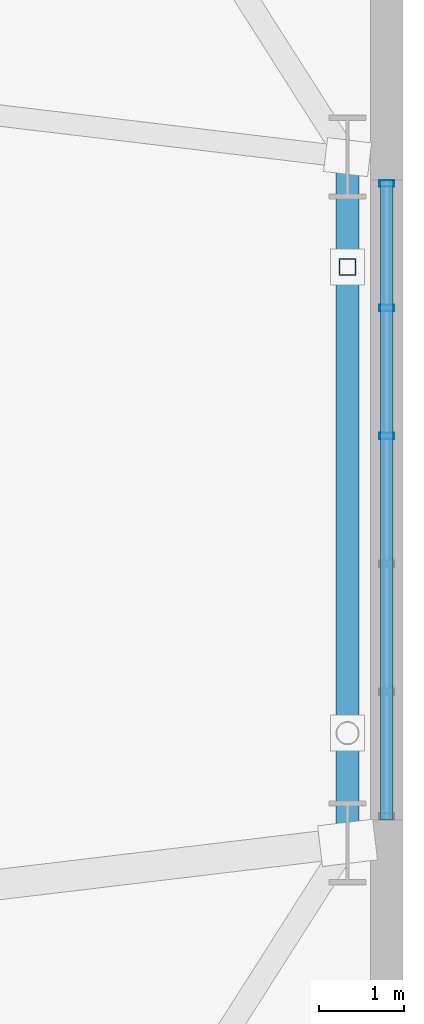
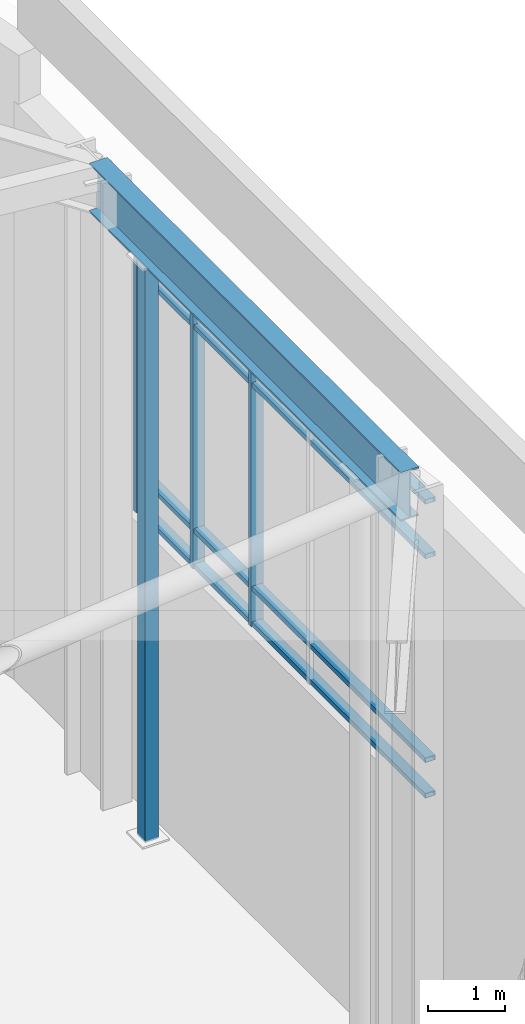
# One storey, part 16 of 23: 8 members, 1 beam, 1 element without a shape of its own.
"""IFC4 building model written with IfcOpenShell, lengths in metres."""

from ifc_helpers import new_model, si_unit, direction, frame, origin, origin_2d, place, context, subcontext, project, spatial, hollow_rectangle, i_section, extrude, material, layer, layer_set, material_profile, profile_set, type_object, element, aggregate, save


model = new_model("IFC4")

# Units and contexts
model_context = context("Model", 3, precision=1e-05, world=origin(), true_north=direction((0.0, 1.0)))
body_context = subcontext(model_context, "Body", "Model", "MODEL_VIEW")
ifc_project = project(units=[si_unit("LENGTHUNIT", "METRE"), si_unit("AREAUNIT", "SQUARE_METRE"), si_unit("VOLUMEUNIT", "CUBIC_METRE"), si_unit("PLANEANGLEUNIT", "RADIAN"), si_unit("MASSUNIT", "GRAM", prefix="KILO"), si_unit("THERMODYNAMICTEMPERATUREUNIT", "KELVIN"), si_unit("POWERUNIT", "WATT")], contexts=[model_context])

# Site, building, storey
site_placement = place(None, origin())
site = spatial("IfcSite", under=ifc_project, at=site_placement, CompositionType="ELEMENT")
building_placement = place(site_placement, origin())
building = spatial("IfcBuilding", under=site, at=building_placement, Name="Skarre Station Tower", CompositionType="ELEMENT")
storey_placement = place(building_placement, frame((0.0, 0.0, 291.300048828125)))
storey = spatial("IfcBuildingStorey", under=building, at=storey_placement, Name="RF", CompositionType="ELEMENT", Elevation=291.300048828125)

# Curtain wall, members
ifc_material_1 = material(Name="Thermally Broken Bronze-Anodized Aluminium & Triple Low-E Glass", Category="aluminium")
ifc_layer = layer(ifc_material_1, 0.179931640625, Name="Thermally Broken Bronze-Anodized Aluminium & Triple Low-E Glass")
ifc_layer_set = layer_set([ifc_layer], Name="Thermally Broken Bronze-Anodized Aluminium & Triple Low-E Glass")
curtain_wall_type = type_object("IfcCurtainWallType", Name="Nordic Bronze Crown Lantern Stick Curtain Wall", PredefinedType="NOTDEFINED", material=ifc_layer_set)
curtain_wall_placement = place(storey_placement, origin())
curtain_wall = element("IfcCurtainWall", 1, at=curtain_wall_placement, inside=storey, type_object=curtain_wall_type, Name="RF Crown Lantern Facet 5 Curtain Wall", PredefinedType="NOTDEFINED")
ifc_material_2 = material(Name="Anodized Aluminium 6063-T6", Category="aluminium")
ifc_material_profile_1 = material_profile(ifc_material_2, hollow_rectangle(XDim=0.074951171875, YDim=0.14990234375, WallThickness=0.00390625, at=origin_2d()), Name="Anodized Aluminium 6063-T6")
ifc_profile_set_1 = profile_set([ifc_material_profile_1], Name="Anodized Aluminium 6063-T6")
member_type_1 = type_object("IfcMemberType", Name="Curtain-Wall Secondary Transom 150x75", PredefinedType="USERDEFINED", material=ifc_profile_set_1)
member_1_placement = place(storey_placement, frame((51.02294921875, 27.7529296875, 4.43994140625), z_axis=(0.0, -1.0, 0.0), x_axis=(0.0, 0.0, 1.0)))
member_1 = element("IfcMember", 2, at=member_1_placement, type_object=member_type_1, Name="RF Crown Lantern Facet 5 Curtain Wall Transom 1", ObjectType="TRANSOM", PredefinedType="USERDEFINED", context=body_context, shape_type="SweptSolid", body=[
    extrude(hollow_rectangle(XDim=0.074951171875, YDim=0.14990234375, WallThickness=0.00390625, at=origin_2d()), origin(), (0.0, 0.0, 1.0), 7.505859375),
])
member_2_placement = place(storey_placement, frame((51.02294921875, 27.7529296875, 5.0), z_axis=(0.0, -1.0, 0.0), x_axis=(0.0, 0.0, 1.0)))
member_2 = element("IfcMember", 3, at=member_2_placement, type_object=member_type_1, Name="RF Crown Lantern Facet 5 Curtain Wall Transom 2", ObjectType="TRANSOM", PredefinedType="USERDEFINED", context=body_context, shape_type="SweptSolid", body=[
    extrude(hollow_rectangle(XDim=0.074951171875, YDim=0.14990234375, WallThickness=0.00390625, at=origin_2d()), origin(), (0.0, 0.0, 1.0), 7.505859375),
])
member_3_placement = place(storey_placement, frame((51.02294921875, 27.7529296875, 8.2099609375), z_axis=(0.0, -1.0, 0.0), x_axis=(0.0, 0.0, 1.0)))
member_3 = element("IfcMember", 4, at=member_3_placement, type_object=member_type_1, Name="RF Crown Lantern Facet 5 Curtain Wall Transom 3", ObjectType="TRANSOM", PredefinedType="USERDEFINED", context=body_context, shape_type="SweptSolid", body=[
    extrude(hollow_rectangle(XDim=0.074951171875, YDim=0.14990234375, WallThickness=0.00390625, at=origin_2d()), origin(), (0.0, 0.0, 1.0), 7.505859375),
])
member_4_placement = place(storey_placement, frame((51.02294921875, 27.7529296875, 9.070068359375), z_axis=(0.0, -1.0, 0.0), x_axis=(0.0, 0.0, 1.0)))
member_4 = element("IfcMember", 5, at=member_4_placement, type_object=member_type_1, Name="RF Crown Lantern Facet 5 Curtain Wall Transom 4", ObjectType="TRANSOM", PredefinedType="USERDEFINED", context=body_context, shape_type="SweptSolid", body=[
    extrude(hollow_rectangle(XDim=0.074951171875, YDim=0.14990234375, WallThickness=0.00390625, at=origin_2d()), origin(), (0.0, 0.0, 1.0), 7.505859375),
])
ifc_material_profile_2 = material_profile(ifc_material_2, hollow_rectangle(XDim=0.074951171875, YDim=0.179931640625, WallThickness=0.00390625, at=origin_2d()), Name="Anodized Aluminium 6063-T6")
ifc_profile_set_2 = profile_set([ifc_material_profile_2], Name="Anodized Aluminium 6063-T6")
member_type_2 = type_object("IfcMemberType", Name="Curtain-Wall Unitised Tower Mullion 180x75", PredefinedType="MULLION", material=ifc_profile_set_2)
member_5_placement = place(storey_placement, frame((51.02294921875, 27.712890625, 4.39990234375), z_axis=(0.0, 0.0, 1.0), x_axis=(0.0, -1.0, 0.0)))
member_5 = element("IfcMember", 6, at=member_5_placement, type_object=member_type_2, Name="RF Crown Lantern Facet 5 Curtain Wall Mullion 1", PredefinedType="MULLION", context=body_context, shape_type="SweptSolid", body=[
    extrude(hollow_rectangle(XDim=0.074951171875, YDim=0.179931640625, WallThickness=0.00390625, at=origin_2d()), origin(), (0.0, 0.0, 1.0), 4.7099609375),
])
member_6_placement = place(storey_placement, frame((51.02294921875, 26.251953125, 4.39990234375), z_axis=(0.0, 0.0, 1.0), x_axis=(0.0, -1.0, 0.0)))
member_6 = element("IfcMember", 7, at=member_6_placement, type_object=member_type_2, Name="RF Crown Lantern Facet 5 Curtain Wall Mullion 2", PredefinedType="MULLION", context=body_context, shape_type="SweptSolid", body=[
    extrude(hollow_rectangle(XDim=0.074951171875, YDim=0.179931640625, WallThickness=0.00390625, at=origin_2d()), origin(), (0.0, 0.0, 1.0), 4.7099609375),
])
member_7_placement = place(storey_placement, frame((51.02294921875, 24.7509765625, 4.39990234375), z_axis=(0.0, 0.0, 1.0), x_axis=(0.0, -1.0, 0.0)))
member_7 = element("IfcMember", 8, at=member_7_placement, type_object=member_type_2, Name="RF Crown Lantern Facet 5 Curtain Wall Mullion 3", PredefinedType="MULLION", context=body_context, shape_type="SweptSolid", body=[
    extrude(hollow_rectangle(XDim=0.074951171875, YDim=0.179931640625, WallThickness=0.00390625, at=origin_2d()), origin(), (0.0, 0.0, 1.0), 4.7099609375),
])
aggregate(curtain_wall, [member_5, member_6, member_7, member_1, member_2, member_3, member_4])

# Beam
ifc_material_3 = material(Name="Steel ASTM A992 Grade 50", Category="steel")
ifc_material_profile_3 = material_profile(ifc_material_3, i_section(OverallWidth=0.26806640625, OverallDepth=0.77001953125, WebThickness=0.01611328125, FlangeThickness=0.02490234375, at=origin_2d()), Name="Steel ASTM A992 Grade 50")
ifc_profile_set_3 = profile_set([ifc_material_profile_3], Name="Steel ASTM A992 Grade 50")
beam_type = type_object("IfcBeamType", Name="Steel Beam W30X132", PredefinedType="BEAM", material=ifc_profile_set_3)
beam_placement = place(storey_placement, frame((50.56298828125, 19.97900390625, 9.494873046875), z_axis=(0.0, 1.0, 0.0), x_axis=(-1.0, 0.0, 0.0)))
element("IfcBeam", 9, at=beam_placement, inside=storey, type_object=beam_type, Name="RF Crown Lantern Cap Ring Beam 11", PredefinedType="BEAM", context=body_context, shape_type="SweptSolid", body=[
    extrude(i_section(OverallWidth=0.26806640625, OverallDepth=0.77001953125, WebThickness=0.01611328125, FlangeThickness=0.02490234375, at=origin_2d()), origin(), (0.0, 0.0, 1.0), 8.0419921875),
])

# Member
ifc_material_4 = material(Name="Steel ASTM A500 Grade C", Category="steel")
ifc_material_profile_4 = material_profile(ifc_material_4, hollow_rectangle(XDim=0.199951171875, YDim=0.199951171875, WallThickness=0.011962890625, at=origin_2d()), Name="Steel ASTM A500 Grade C")
ifc_profile_set_4 = profile_set([ifc_material_profile_4], Name="Steel ASTM A500 Grade C")
member_type_3 = type_object("IfcMemberType", Name="Steel Truss Strut HSS200X200X12", PredefinedType="STRUT", material=ifc_profile_set_4)
member_8_placement = place(storey_placement, frame((50.56298828125, 26.73388671875, 0.0), z_axis=(0.0, 0.0, 1.0), x_axis=(1.0, 0.0, 0.0)))
element("IfcMember", 10, at=member_8_placement, inside=storey, type_object=member_type_3, Name="RF Crown Pier Post 11B", PredefinedType="STRUT", context=body_context, shape_type="SweptSolid", body=[
    extrude(hollow_rectangle(XDim=0.199951171875, YDim=0.199951171875, WallThickness=0.011962890625, at=origin_2d()), origin(), (0.0, 0.0, 1.0), 9.119873046875),
])

save(model, "model.ifc")
